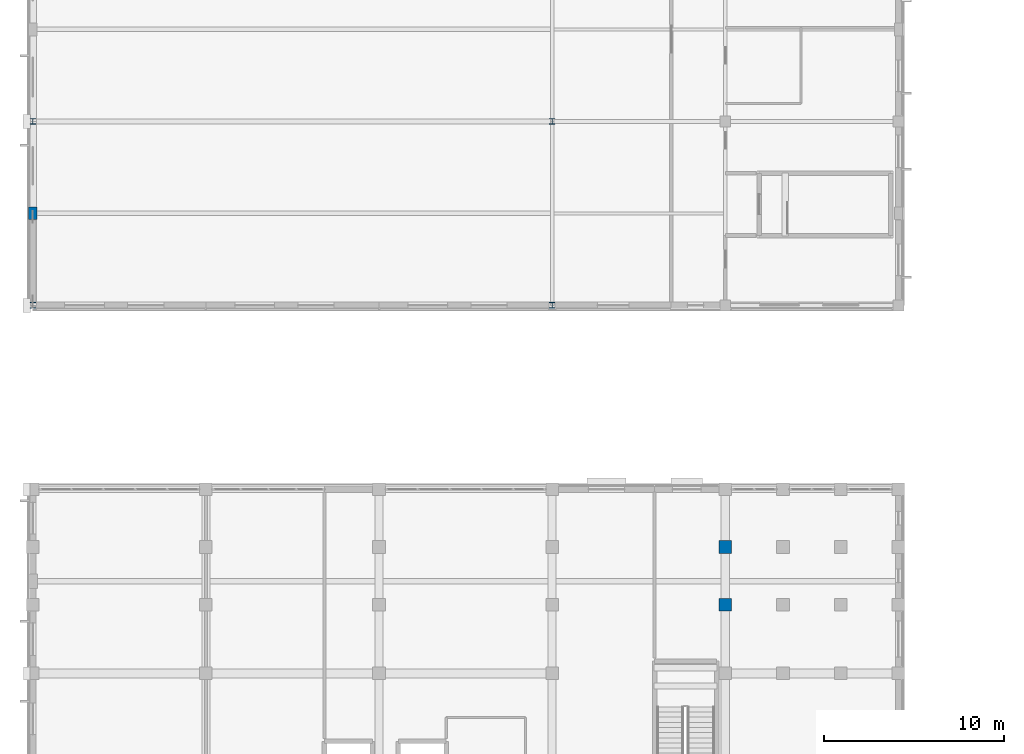
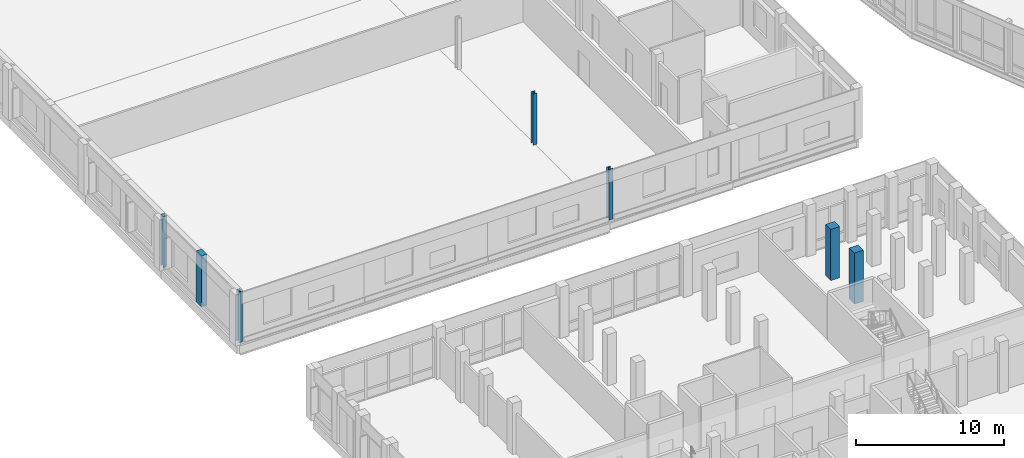
# One storey, part 2 of 185: 7 columns.
"""IFC4 building model written with IfcOpenShell, lengths in metres."""

from ifc_helpers import new_model, si_unit, direction, frame, origin, origin_2d, place, context, subcontext, project, spatial, rectangle, i_section, extrude, material, material_profile, profile_set, type_object, element, save


model = new_model("IFC4")

# Units and contexts
model_context = context("Model", 3, precision=1e-05, world=origin(), true_north=direction((0.0, 1.0)))
body_context = subcontext(model_context, "Body", "Model", "MODEL_VIEW")
ifc_project = project(units=[si_unit("LENGTHUNIT", "METRE"), si_unit("AREAUNIT", "SQUARE_METRE"), si_unit("VOLUMEUNIT", "CUBIC_METRE"), si_unit("PLANEANGLEUNIT", "RADIAN"), si_unit("MASSUNIT", "GRAM", prefix="KILO")], contexts=[model_context])

# Site, building, storey
site_placement = place(None, origin())
site = spatial("IfcSite", under=ifc_project, at=site_placement, CompositionType="ELEMENT")
building_placement = place(site_placement, origin())
building = spatial("IfcBuilding", under=site, at=building_placement, Name="Vondelvale Polytechnic", CompositionType="ELEMENT")
storey_placement = place(building_placement, frame((0.0, 0.0, 9.60009765625)))
storey = spatial("IfcBuildingStorey", under=building, at=storey_placement, Name="L02", CompositionType="ELEMENT", Elevation=9.60009765625)

# Columns
ifc_material_1 = material(Name="Concrete N50 (f'c = 50 MPa)", Category="concrete")
ifc_material_profile_1 = material_profile(ifc_material_1, rectangle(XDim=0.699951171875, YDim=0.699951171875, at=origin_2d()), Name="RC-COL-700x700")
ifc_profile_set_1 = profile_set([ifc_material_profile_1], Name="Concrete N50 (f'c = 50 MPa)")
column_type_1 = type_object("IfcColumnType", Name="COL-RC700", PredefinedType="COLUMN", material=ifc_profile_set_1)
for number, where, z_axis, x_axis, name in (
    (1, (38.39990234375, 34.39990234375, 0.0), (0.0, 0.0, 1.0), (1.0, 0.0, 0.0), "L02 corner wing column (38.4,34.4)"),
    (2, (38.39990234375, 37.60009765625, 0.0), (0.0, 0.0, 1.0), (1.0, 0.0, 0.0), "L02 corner wing column (38.4,37.6)"),
):
    element("IfcColumn", number, at=place(storey_placement, frame(where, z_axis=z_axis, x_axis=x_axis)), inside=storey, type_object=column_type_1, Name=name, PredefinedType="COLUMN", context=body_context, shape_type="SweptSolid", body=[
        extrude(rectangle(XDim=0.699951171875, YDim=0.699951171875, at=origin_2d()), origin(), (0.0, 0.0, 1.0), 4.199951171875),
    ])
ifc_material_2 = material(Name="Steel 300PLUS (fy = 300 MPa)", Category="steel")
ifc_material_profile_2 = material_profile(ifc_material_2, i_section(OverallWidth=0.31103515625, OverallDepth=0.326904296875, WebThickness=0.015625, FlangeThickness=0.02490234375, FilletRadius=0.0166015625, at=origin_2d()), Name="310UC158")
ifc_profile_set_2 = profile_set([ifc_material_profile_2], Name="Steel 300PLUS (fy = 300 MPa)")
column_type_2 = type_object("IfcColumnType", Name="COL-UC310H", PredefinedType="COLUMN", material=ifc_profile_set_2)
for number, where, z_axis, x_axis, name in (
    (3, (0.0, 51.0, 0.0), (0.0, 0.0, 1.0), (1.0, 0.0, 0.0), "L02 workshop column (0.0,51.0)"),
    (4, (28.800048828125, 51.0, 0.0), (0.0, 0.0, 1.0), (1.0, 0.0, 0.0), "L02 workshop column (28.8,51.0)"),
    (5, (0.0, 61.199951171875, 0.0), (0.0, 0.0, 1.0), (1.0, 0.0, 0.0), "L02 workshop column (0.0,61.2)"),
    (6, (28.800048828125, 61.199951171875, 0.0), (0.0, 0.0, 1.0), (1.0, 0.0, 0.0), "L02 workshop column (28.8,61.2)"),
):
    element("IfcColumn", number, at=place(storey_placement, frame(where, z_axis=z_axis, x_axis=x_axis)), inside=storey, type_object=column_type_2, Name=name, PredefinedType="COLUMN", context=body_context, shape_type="SweptSolid", body=[
        extrude(i_section(OverallWidth=0.31103515625, OverallDepth=0.326904296875, WebThickness=0.015625, FlangeThickness=0.02490234375, FilletRadius=0.0166015625, at=origin_2d()), origin(), (0.0, 0.0, 1.0), 4.199951171875),
    ])
ifc_material_profile_3 = material_profile(ifc_material_1, rectangle(XDim=0.449951171875, YDim=0.699951171875, at=origin_2d()), Name="RC-PIL-700x450")
ifc_profile_set_3 = profile_set([ifc_material_profile_3], Name="Concrete N50 (f'c = 50 MPa)")
column_type_3 = type_object("IfcColumnType", Name="PIL-RC700x450", PredefinedType="PILASTER", material=ifc_profile_set_3)
column_placement = place(storey_placement, frame((0.0, 56.10009765625, 0.0), z_axis=(0.0, 0.0, 1.0), x_axis=(1.0, 0.0, 0.0)))
element("IfcColumn", 7, at=column_placement, inside=storey, type_object=column_type_3, Name="L02 West workshop brick pilaster 1", PredefinedType="PILASTER", context=body_context, shape_type="SweptSolid", body=[
    extrude(rectangle(XDim=0.449951171875, YDim=0.699951171875, at=origin_2d()), origin(), (0.0, 0.0, 1.0), 4.199951171875),
])

save(model, "model.ifc")
